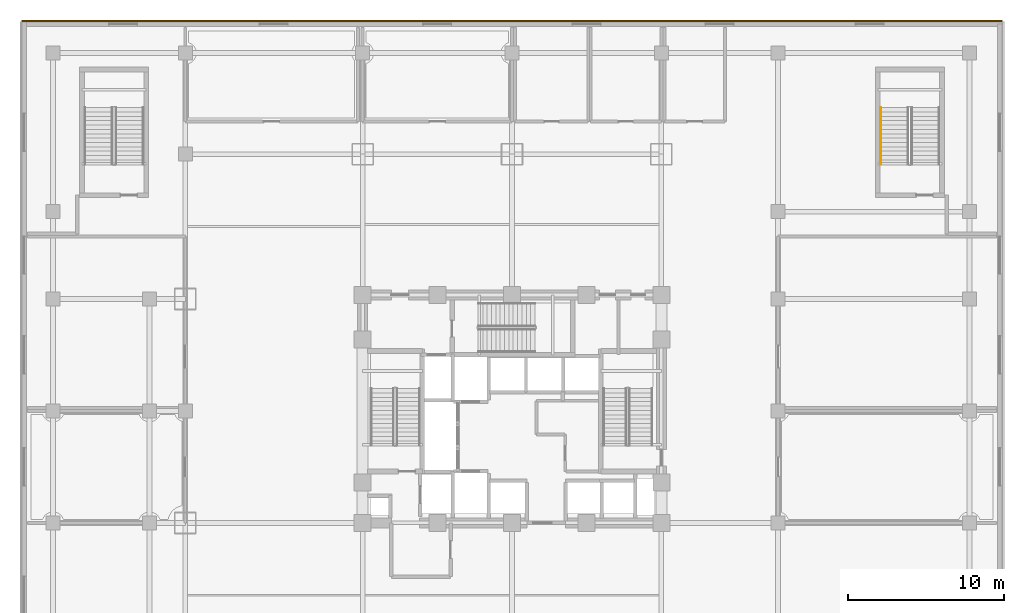
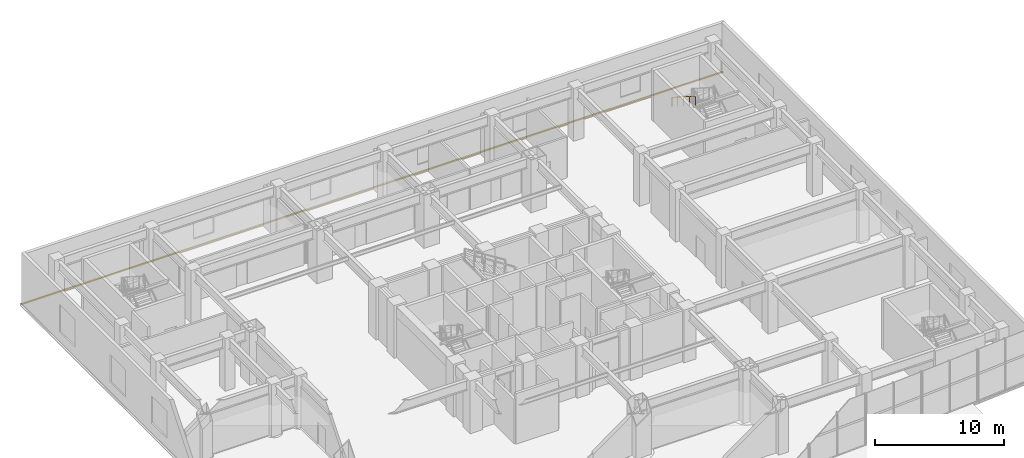
# One storey, part 23 of 24: 1 covering, 1 railing.
"""IFC4 building model written with IfcOpenShell, lengths in metres."""

from ifc_helpers import new_model, si_unit, direction, frame, origin, origin_2d, place, context, subcontext, project, spatial, polyline, rectangle, outline, extrude, material, layer, layer_set, type_object, element, save


model = new_model("IFC4")

# Units and contexts
model_context = context("Model", 3, precision=1e-05, world=origin(), true_north=direction((0.0, 1.0)))
body_context = subcontext(model_context, "Body", "Model", "MODEL_VIEW")
ifc_project = project(units=[si_unit("LENGTHUNIT", "METRE"), si_unit("AREAUNIT", "SQUARE_METRE"), si_unit("VOLUMEUNIT", "CUBIC_METRE"), si_unit("PLANEANGLEUNIT", "RADIAN"), si_unit("MASSUNIT", "GRAM", prefix="KILO")], contexts=[model_context])

# Site, building, storey
site_placement = place(None, origin())
site = spatial("IfcSite", under=ifc_project, at=site_placement, CompositionType="ELEMENT")
building_placement = place(site_placement, origin())
building = spatial("IfcBuilding", under=site, at=building_placement, Name="Vantalir Tower", CompositionType="ELEMENT")
storey_placement = place(building_placement, frame((0.0, 0.0, 6.0)))
storey = spatial("IfcBuildingStorey", under=building, at=storey_placement, Name="L01", CompositionType="ELEMENT", Elevation=6.0)

# Covering
ifc_material_1 = material(Name="Anodised champagne aluminium sill fascia", Category="aluminium")
ifc_layer = layer(ifc_material_1, 0.125)
ifc_layer_set = layer_set([ifc_layer], Name="Anodised champagne aluminium sill fascia")
covering_type = type_object("IfcCoveringType", Name="COV-SLAB-FASCIA-125", PredefinedType="CLADDING", material=ifc_layer_set)
covering_placement = place(storey_placement, frame((0.0, 0.0, -0.179931640625)))
element("IfcCovering", 1, at=covering_placement, inside=storey, type_object=covering_type, Name="Level 01 Podium Slab-Edge Fascia N", PredefinedType="CLADDING", context=body_context, shape_type="SweptSolid", body=[
    extrude(outline(polyline([(0.0, 50.0), (63.0, 50.0), (63.0, 50.125), (0.0, 50.125), (0.0, 50.0)])), origin(), (0.0, 0.0, 1.0), 0.10498046875),
])

# Railing
ifc_material_2 = material(Name="Brushed stainless steel tubular handrail", Category="steel")
railing_type = type_object("IfcRailingType", Name="RAL-HANDRAIL-900", PredefinedType="HANDRAIL", material=ifc_material_2)
railing_placement = place(storey_placement, frame((55.199951171875, 44.489990234375, 2.678466796875)))
element("IfcRailing", 2, at=railing_placement, inside=storey, type_object=railing_type, Name="Level 01 PST2 stair handrail 2", PredefinedType="HANDRAIL", context=body_context, shape_type="SweptSolid", body=[
    extrude(rectangle(XDim=0.048095703125, YDim=0.048095703125, at=origin_2d()), frame((0.0, 0.0, 0.8759765625), z_axis=(0.0, -0.843111507901, 0.53773877045), x_axis=(1.0, 0.0, 0.0)), (0.0, 0.0, 1.0), 4.317138671875),
    extrude(rectangle(XDim=0.0419921875, YDim=0.0419921875, at=origin_2d()), origin(), (0.0, 0.0, 1.0), 0.851806640625),
    extrude(rectangle(XDim=0.0419921875, YDim=0.0419921875, at=origin_2d()), frame((0.0, -0.909912109375, 0.580322265625)), (0.0, 0.0, 1.0), 0.851806640625),
    extrude(rectangle(XDim=0.0419921875, YDim=0.0419921875, at=origin_2d()), frame((0.0, -1.81982421875, 1.16064453125)), (0.0, 0.0, 1.0), 0.851806640625),
    extrude(rectangle(XDim=0.0419921875, YDim=0.0419921875, at=origin_2d()), frame((0.0, -2.72998046875, 1.7412109375)), (0.0, 0.0, 1.0), 0.851806640625),
    extrude(rectangle(XDim=0.0419921875, YDim=0.0419921875, at=origin_2d()), frame((0.0, -3.639892578125, 2.321533203125)), (0.0, 0.0, 1.0), 0.851806640625),
])

save(model, "model.ifc")
